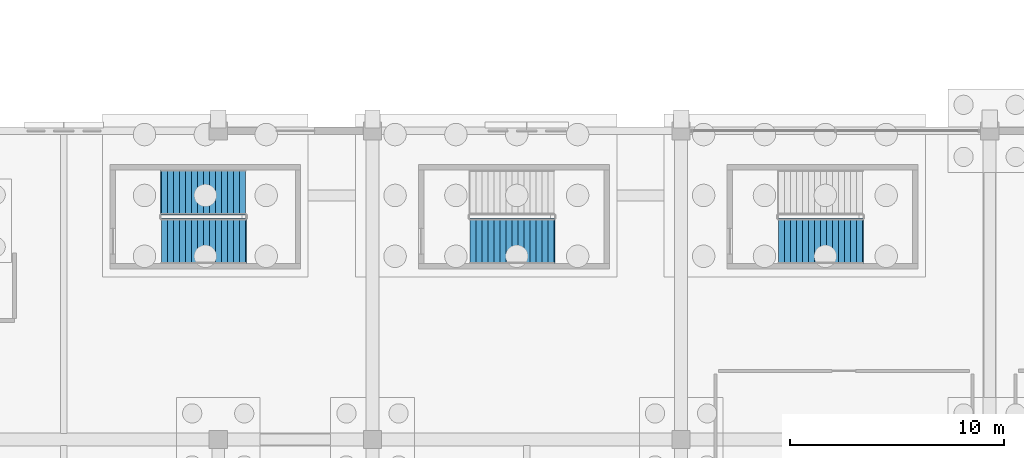
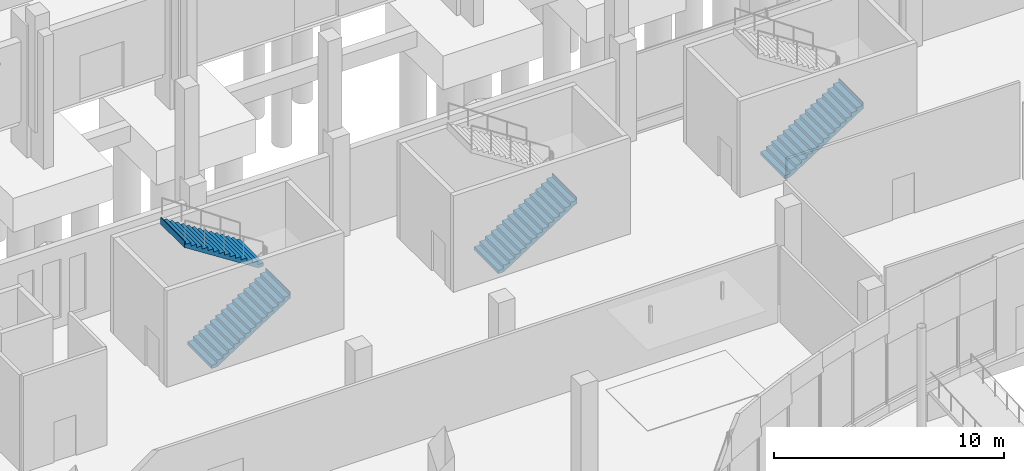
# One storey, part 160 of 192: 4 stair flights, 3 elements without a shape of their own.
"""IFC4 building model written with IfcOpenShell, lengths in metres."""

from ifc_helpers import new_model, si_unit, direction, frame, origin, place, context, subcontext, project, spatial, triangles, material, type_object, element, aggregate, save


model = new_model("IFC4")

# Units and contexts
model_context = context("Model", 3, precision=1e-05, world=origin(), true_north=direction((0.0, 1.0)))
body_context = subcontext(model_context, "Body", "Model", "MODEL_VIEW")
ifc_project = project(units=[si_unit("LENGTHUNIT", "METRE"), si_unit("AREAUNIT", "SQUARE_METRE"), si_unit("VOLUMEUNIT", "CUBIC_METRE"), si_unit("PLANEANGLEUNIT", "RADIAN"), si_unit("MASSUNIT", "GRAM", prefix="KILO")], contexts=[model_context])

# Site, building, storey
site_placement = place(None, origin())
site = spatial("IfcSite", under=ifc_project, at=site_placement, CompositionType="ELEMENT")
building_placement = place(site_placement, origin())
building = spatial("IfcBuilding", under=site, at=building_placement, Name="Cendralis Lancet Convention Centre", CompositionType="ELEMENT")
storey_placement = place(building_placement, origin())
storey = spatial("IfcBuildingStorey", under=building, at=storey_placement, Name="L00", CompositionType="ELEMENT", Elevation=0.0)

# Stair, stair flights
ifc_material = material(Name="Concrete G35 (C35/45)", Category="concrete")
stair_type = type_object("IfcStairType", Name="ARC-ST-CORE", PredefinedType="HALF_TURN_STAIR", material=ifc_material)
stair_1_placement = place(storey_placement, origin())
stair_1 = element("IfcStair", 1, at=stair_1_placement, inside=storey, type_object=stair_type, Name="L00 Protected Exit Stair ST-12", PredefinedType="HALF_TURN_STAIR")
stair_flight_type = type_object("IfcStairFlightType", Name="ARC-SF-CORE", PredefinedType="STRAIGHT", material=ifc_material)
stair_flight_1_placement = place(storey_placement, frame((69.35009765625, 30.85009765625, 0.0), z_axis=(0.0, 0.0, 1.0), x_axis=(1.0, 0.0, 0.0)))
stair_flight_1 = element("IfcStairFlight", 2, at=stair_flight_1_placement, type_object=stair_flight_type, Name="ST-12 flight 1", NumberOfRisers=15, NumberOfTreads=14, PredefinedType="STRAIGHT", RiserHeight=0.18, TreadLength=0.28, context=body_context, shape_type="Tessellation", body=[
    triangles([(0.0, 0.0, 0.09), (0.0, 1.050049, 0.0), (0.0, -1.050049, 0.0), (0.0, -1.050049, 0.18), (0.0, 1.050049, 0.18), (0.138604, 0.0, 0.18), (0.277208, -1.050049, 0.18), (0.277208, 1.050049, 0.18), (0.138604, 0.0, 0.0), (0.277208, -1.050049, 0.0), (0.277208, 1.050049, 0.0), (0.278604, 0.0, 0.18), (0.28, -1.050049, 0.18), (0.28, 1.050049, 0.18), (0.278604, 0.0, 0.000897), (0.28, -1.050049, 0.001795), (0.28, 1.050049, 0.001795), (0.28, 0.0, 0.27), (0.28, -1.050049, 0.36), (0.28, 1.050049, 0.36), (0.42, 0.0, 0.36), (0.56, -1.050049, 0.36), (0.56, 1.050049, 0.36), (0.42, 0.0, 0.091795), (0.56, -1.050049, 0.181795), (0.56, 1.050049, 0.181795), (0.56, 0.0, 0.45), (0.56, -1.050049, 0.54), (0.56, 1.050049, 0.54), (0.7, 0.0, 0.54), (0.84, -1.050049, 0.54), (0.84, 1.050049, 0.54), (0.7, 0.0, 0.271795), (0.84, -1.050049, 0.361795), (0.84, 1.050049, 0.361795), (0.84, 0.0, 0.63), (0.84, -1.050049, 0.72), (0.84, 1.050049, 0.72), (0.98, 0.0, 0.72), (1.12, -1.050049, 0.72), (1.12, 1.050049, 0.72), (0.98, 0.0, 0.451795), (1.12, -1.050049, 0.541795), (1.12, 1.050049, 0.541795), (1.12, 0.0, 0.81), (1.12, -1.050049, 0.9), (1.12, 1.050049, 0.9), (1.26, 0.0, 0.9), (1.4, -1.050049, 0.9), (1.4, 1.050049, 0.9), (1.26, 0.0, 0.631795), (1.4, -1.050049, 0.721795), (1.4, 1.050049, 0.721795), (1.4, 0.0, 0.99), (1.4, -1.050049, 1.08), (1.4, 1.050049, 1.08), (1.54, 0.0, 1.08), (1.68, -1.050049, 1.08), (1.68, 1.050049, 1.08), (1.54, 0.0, 0.811795), (1.68, -1.050049, 0.901795), (1.68, 1.050049, 0.901795), (1.68, 0.0, 1.17), (1.68, -1.050049, 1.26), (1.68, 1.050049, 1.26), (1.82, 0.0, 1.26), (1.96, -1.050049, 1.26), (1.96, 1.050049, 1.26), (1.82, 0.0, 0.991795), (1.96, -1.050049, 1.081795), (1.96, 1.050049, 1.081795), (1.96, 0.0, 1.35), (1.96, -1.050049, 1.44), (1.96, 1.050049, 1.44), (2.1, 0.0, 1.44), (2.24, -1.050049, 1.44), (2.24, 1.050049, 1.44), (2.1, 0.0, 1.171795), (2.24, -1.050049, 1.261795), (2.24, 1.050049, 1.261795), (2.24, 0.0, 1.53), (2.24, -1.050049, 1.62), (2.24, 1.050049, 1.62), (2.38, 0.0, 1.62), (2.52, -1.050049, 1.62), (2.52, 1.050049, 1.62), (2.38, 0.0, 1.351795), (2.52, -1.050049, 1.441795), (2.52, 1.050049, 1.441795), (2.52, 0.0, 1.71), (2.52, -1.050049, 1.8), (2.52, 1.050049, 1.8), (2.66, 0.0, 1.8), (2.8, -1.050049, 1.8), (2.8, 1.050049, 1.8), (2.66, 0.0, 1.531795), (2.8, -1.050049, 1.621795), (2.8, 1.050049, 1.621795), (2.8, 0.0, 1.89), (2.8, -1.050049, 1.98), (2.8, 1.050049, 1.98), (2.94, 0.0, 1.98), (3.08, -1.050049, 1.98), (3.08, 1.050049, 1.98), (2.94, 0.0, 1.711795), (3.08, -1.050049, 1.801795), (3.08, 1.050049, 1.801795), (3.08, 0.0, 2.07), (3.08, -1.050049, 2.16), (3.08, 1.050049, 2.16), (3.22, 0.0, 2.16), (3.36, -1.050049, 2.16), (3.36, 1.050049, 2.16), (3.22, 0.0, 1.891795), (3.36, -1.050049, 1.981795), (3.36, 1.050049, 1.981795), (3.36, 0.0, 2.25), (3.36, -1.050049, 2.34), (3.36, 1.050049, 2.34), (3.5, 0.0, 2.34), (3.64, -1.050049, 2.34), (3.64, 1.050049, 2.34), (3.5, 0.0, 2.071795), (3.64, -1.050049, 2.161795), (3.64, 1.050049, 2.161795), (3.64, 0.0, 2.43), (3.64, -1.050049, 2.52), (3.64, 1.050049, 2.52), (3.78, 0.0, 2.52), (3.92, -1.050049, 2.52), (3.92, 1.050049, 2.52), (3.78, 0.0, 2.251795), (3.92, -1.050049, 2.341795), (3.92, 1.050049, 2.341795), (3.92, 0.0, 2.61), (3.92, -1.050049, 2.7), (3.92, 1.050049, 2.7), (3.94, 0.0, 2.7), (3.96, -1.050049, 2.7), (3.96, 1.050049, 2.7), (3.94, 0.0, 2.341795), (3.96, -1.050049, 2.341795), (3.96, 1.050049, 2.341795), (3.96, 0.0, 2.520898)], [[2, 3, 1], [3, 4, 1], [4, 5, 1], [5, 2, 1], [4, 7, 6], [7, 8, 6], [8, 5, 6], [5, 4, 6], [10, 3, 9], [3, 2, 9], [2, 11, 9], [11, 10, 9], [3, 10, 7], [3, 7, 4], [2, 8, 11], [2, 5, 8], [7, 13, 12], [13, 14, 12], [14, 8, 12], [8, 7, 12], [16, 10, 15], [10, 11, 15], [11, 17, 15], [17, 16, 15], [10, 16, 13], [10, 13, 7], [11, 14, 17], [11, 8, 14], [14, 13, 18], [13, 19, 18], [19, 20, 18], [20, 14, 18], [19, 22, 21], [22, 23, 21], [23, 20, 21], [20, 19, 21], [25, 16, 24], [16, 17, 24], [17, 26, 24], [26, 25, 24], [16, 25, 22], [16, 22, 13], [13, 22, 19], [17, 23, 26], [17, 14, 23], [14, 20, 23], [23, 22, 27], [22, 28, 27], [28, 29, 27], [29, 23, 27], [28, 31, 30], [31, 32, 30], [32, 29, 30], [29, 28, 30], [34, 25, 33], [25, 26, 33], [26, 35, 33], [35, 34, 33], [25, 34, 31], [25, 31, 22], [22, 31, 28], [26, 32, 35], [26, 23, 32], [23, 29, 32], [32, 31, 36], [31, 37, 36], [37, 38, 36], [38, 32, 36], [37, 40, 39], [40, 41, 39], [41, 38, 39], [38, 37, 39], [43, 34, 42], [34, 35, 42], [35, 44, 42], [44, 43, 42], [34, 43, 40], [34, 40, 31], [31, 40, 37], [35, 41, 44], [35, 32, 41], [32, 38, 41], [41, 40, 45], [40, 46, 45], [46, 47, 45], [47, 41, 45], [46, 49, 48], [49, 50, 48], [50, 47, 48], [47, 46, 48], [52, 43, 51], [43, 44, 51], [44, 53, 51], [53, 52, 51], [43, 52, 49], [43, 49, 40], [40, 49, 46], [44, 50, 53], [44, 41, 50], [41, 47, 50], [50, 49, 54], [49, 55, 54], [55, 56, 54], [56, 50, 54], [55, 58, 57], [58, 59, 57], [59, 56, 57], [56, 55, 57], [61, 52, 60], [52, 53, 60], [53, 62, 60], [62, 61, 60], [52, 61, 58], [52, 58, 49], [49, 58, 55], [53, 59, 62], [53, 50, 59], [50, 56, 59], [59, 58, 63], [58, 64, 63], [64, 65, 63], [65, 59, 63], [64, 67, 66], [67, 68, 66], [68, 65, 66], [65, 64, 66], [70, 61, 69], [61, 62, 69], [62, 71, 69], [71, 70, 69], [61, 70, 67], [61, 67, 58], [58, 67, 64], [62, 68, 71], [62, 59, 68], [59, 65, 68], [68, 67, 72], [67, 73, 72], [73, 74, 72], [74, 68, 72], [73, 76, 75], [76, 77, 75], [77, 74, 75], [74, 73, 75], [79, 70, 78], [70, 71, 78], [71, 80, 78], [80, 79, 78], [70, 79, 76], [70, 76, 67], [67, 76, 73], [71, 77, 80], [71, 68, 77], [68, 74, 77], [77, 76, 81], [76, 82, 81], [82, 83, 81], [83, 77, 81], [82, 85, 84], [85, 86, 84], [86, 83, 84], [83, 82, 84], [88, 79, 87], [79, 80, 87], [80, 89, 87], [89, 88, 87], [79, 88, 85], [79, 85, 76], [76, 85, 82], [80, 86, 89], [80, 77, 86], [77, 83, 86], [86, 85, 90], [85, 91, 90], [91, 92, 90], [92, 86, 90], [91, 94, 93], [94, 95, 93], [95, 92, 93], [92, 91, 93], [97, 88, 96], [88, 89, 96], [89, 98, 96], [98, 97, 96], [88, 97, 94], [88, 94, 85], [85, 94, 91], [89, 95, 98], [89, 86, 95], [86, 92, 95], [95, 94, 99], [94, 100, 99], [100, 101, 99], [101, 95, 99], [100, 103, 102], [103, 104, 102], [104, 101, 102], [101, 100, 102], [106, 97, 105], [97, 98, 105], [98, 107, 105], [107, 106, 105], [97, 106, 103], [97, 103, 94], [94, 103, 100], [98, 104, 107], [98, 95, 104], [95, 101, 104], [104, 103, 108], [103, 109, 108], [109, 110, 108], [110, 104, 108], [109, 112, 111], [112, 113, 111], [113, 110, 111], [110, 109, 111], [115, 106, 114], [106, 107, 114], [107, 116, 114], [116, 115, 114], [106, 115, 112], [106, 112, 103], [103, 112, 109], [107, 113, 116], [107, 104, 113], [104, 110, 113], [113, 112, 117], [112, 118, 117], [118, 119, 117], [119, 113, 117], [118, 121, 120], [121, 122, 120], [122, 119, 120], [119, 118, 120], [124, 115, 123], [115, 116, 123], [116, 125, 123], [125, 124, 123], [115, 124, 121], [115, 121, 112], [112, 121, 118], [116, 122, 125], [116, 113, 122], [113, 119, 122], [122, 121, 126], [121, 127, 126], [127, 128, 126], [128, 122, 126], [127, 130, 129], [130, 131, 129], [131, 128, 129], [128, 127, 129], [133, 124, 132], [124, 125, 132], [125, 134, 132], [134, 133, 132], [124, 133, 130], [124, 130, 121], [121, 130, 127], [125, 131, 134], [125, 122, 131], [122, 128, 131], [131, 130, 135], [130, 136, 135], [136, 137, 135], [137, 131, 135], [136, 139, 138], [139, 140, 138], [140, 137, 138], [137, 136, 138], [142, 133, 141], [133, 134, 141], [134, 143, 141], [143, 142, 141], [133, 142, 139], [133, 139, 130], [130, 139, 136], [134, 140, 143], [134, 131, 140], [131, 137, 140], [142, 143, 144], [143, 140, 144], [140, 139, 144], [139, 142, 144]], closed=True),
])
stair_flight_2_placement = place(storey_placement, frame((73.27001953125, 33.1298828125, 2.699951171875), z_axis=(0.0, 0.0, 1.0), x_axis=(-1.0, 0.0, 0.0)))
stair_flight_2 = element("IfcStairFlight", 3, at=stair_flight_2_placement, type_object=stair_flight_type, Name="ST-12 flight 2", NumberOfRisers=15, NumberOfTreads=14, PredefinedType="STRAIGHT", RiserHeight=0.18, TreadLength=0.28, context=body_context, shape_type="Tessellation", body=[
    triangles([(0.0, 0.0, 0.09), (0.0, 1.050049, 0.0), (0.0, -1.050049, 0.0), (0.0, -1.050049, 0.18), (0.0, 1.050049, 0.18), (0.138604, 0.0, 0.18), (0.277208, -1.050049, 0.18), (0.277208, 1.050049, 0.18), (0.138604, 0.0, 0.0), (0.277208, -1.050049, 0.0), (0.277208, 1.050049, 0.0), (0.278604, 0.0, 0.18), (0.28, -1.050049, 0.18), (0.28, 1.050049, 0.18), (0.278604, 0.0, 0.000897), (0.28, -1.050049, 0.001795), (0.28, 1.050049, 0.001795), (0.28, 0.0, 0.27), (0.28, -1.050049, 0.36), (0.28, 1.050049, 0.36), (0.42, 0.0, 0.36), (0.56, -1.050049, 0.36), (0.56, 1.050049, 0.36), (0.42, 0.0, 0.091795), (0.56, -1.050049, 0.181795), (0.56, 1.050049, 0.181795), (0.56, 0.0, 0.45), (0.56, -1.050049, 0.54), (0.56, 1.050049, 0.54), (0.7, 0.0, 0.54), (0.84, -1.050049, 0.54), (0.84, 1.050049, 0.54), (0.7, 0.0, 0.271795), (0.84, -1.050049, 0.361795), (0.84, 1.050049, 0.361795), (0.84, 0.0, 0.63), (0.84, -1.050049, 0.72), (0.84, 1.050049, 0.72), (0.98, 0.0, 0.72), (1.12, -1.050049, 0.72), (1.12, 1.050049, 0.72), (0.98, 0.0, 0.451795), (1.12, -1.050049, 0.541795), (1.12, 1.050049, 0.541795), (1.12, 0.0, 0.81), (1.12, -1.050049, 0.9), (1.12, 1.050049, 0.9), (1.26, 0.0, 0.9), (1.4, -1.050049, 0.9), (1.4, 1.050049, 0.9), (1.26, 0.0, 0.631795), (1.4, -1.050049, 0.721795), (1.4, 1.050049, 0.721795), (1.4, 0.0, 0.99), (1.4, -1.050049, 1.08), (1.4, 1.050049, 1.08), (1.54, 0.0, 1.08), (1.68, -1.050049, 1.08), (1.68, 1.050049, 1.08), (1.54, 0.0, 0.811795), (1.68, -1.050049, 0.901795), (1.68, 1.050049, 0.901795), (1.68, 0.0, 1.17), (1.68, -1.050049, 1.26), (1.68, 1.050049, 1.26), (1.82, 0.0, 1.26), (1.96, -1.050049, 1.26), (1.96, 1.050049, 1.26), (1.82, 0.0, 0.991795), (1.96, -1.050049, 1.081795), (1.96, 1.050049, 1.081795), (1.96, 0.0, 1.35), (1.96, -1.050049, 1.44), (1.96, 1.050049, 1.44), (2.1, 0.0, 1.44), (2.24, -1.050049, 1.44), (2.24, 1.050049, 1.44), (2.1, 0.0, 1.171795), (2.24, -1.050049, 1.261795), (2.24, 1.050049, 1.261795), (2.24, 0.0, 1.53), (2.24, -1.050049, 1.62), (2.24, 1.050049, 1.62), (2.38, 0.0, 1.62), (2.52, -1.050049, 1.62), (2.52, 1.050049, 1.62), (2.38, 0.0, 1.351795), (2.52, -1.050049, 1.441795), (2.52, 1.050049, 1.441795), (2.52, 0.0, 1.71), (2.52, -1.050049, 1.8), (2.52, 1.050049, 1.8), (2.66, 0.0, 1.8), (2.8, -1.050049, 1.8), (2.8, 1.050049, 1.8), (2.66, 0.0, 1.531795), (2.8, -1.050049, 1.621795), (2.8, 1.050049, 1.621795), (2.8, 0.0, 1.89), (2.8, -1.050049, 1.98), (2.8, 1.050049, 1.98), (2.94, 0.0, 1.98), (3.08, -1.050049, 1.98), (3.08, 1.050049, 1.98), (2.94, 0.0, 1.711795), (3.08, -1.050049, 1.801795), (3.08, 1.050049, 1.801795), (3.08, 0.0, 2.07), (3.08, -1.050049, 2.16), (3.08, 1.050049, 2.16), (3.22, 0.0, 2.16), (3.36, -1.050049, 2.16), (3.36, 1.050049, 2.16), (3.22, 0.0, 1.891795), (3.36, -1.050049, 1.981795), (3.36, 1.050049, 1.981795), (3.36, 0.0, 2.25), (3.36, -1.050049, 2.34), (3.36, 1.050049, 2.34), (3.5, 0.0, 2.34), (3.64, -1.050049, 2.34), (3.64, 1.050049, 2.34), (3.5, 0.0, 2.071795), (3.64, -1.050049, 2.161795), (3.64, 1.050049, 2.161795), (3.64, 0.0, 2.43), (3.64, -1.050049, 2.52), (3.64, 1.050049, 2.52), (3.78, 0.0, 2.52), (3.92, -1.050049, 2.52), (3.92, 1.050049, 2.52), (3.78, 0.0, 2.251795), (3.92, -1.050049, 2.341795), (3.92, 1.050049, 2.341795), (3.92, 0.0, 2.61), (3.92, -1.050049, 2.7), (3.92, 1.050049, 2.7), (3.94, 0.0, 2.7), (3.96, -1.050049, 2.7), (3.96, 1.050049, 2.7), (3.94, 0.0, 2.341795), (3.96, -1.050049, 2.341795), (3.96, 1.050049, 2.341795), (3.96, 0.0, 2.520898)], [[2, 3, 1], [3, 4, 1], [4, 5, 1], [5, 2, 1], [4, 7, 6], [7, 8, 6], [8, 5, 6], [5, 4, 6], [10, 3, 9], [3, 2, 9], [2, 11, 9], [11, 10, 9], [3, 10, 7], [3, 7, 4], [2, 8, 11], [2, 5, 8], [7, 13, 12], [13, 14, 12], [14, 8, 12], [8, 7, 12], [16, 10, 15], [10, 11, 15], [11, 17, 15], [17, 16, 15], [10, 16, 13], [10, 13, 7], [11, 14, 17], [11, 8, 14], [14, 13, 18], [13, 19, 18], [19, 20, 18], [20, 14, 18], [19, 22, 21], [22, 23, 21], [23, 20, 21], [20, 19, 21], [25, 16, 24], [16, 17, 24], [17, 26, 24], [26, 25, 24], [16, 25, 22], [16, 22, 13], [13, 22, 19], [17, 23, 26], [17, 14, 23], [14, 20, 23], [23, 22, 27], [22, 28, 27], [28, 29, 27], [29, 23, 27], [28, 31, 30], [31, 32, 30], [32, 29, 30], [29, 28, 30], [34, 25, 33], [25, 26, 33], [26, 35, 33], [35, 34, 33], [25, 34, 31], [25, 31, 22], [22, 31, 28], [26, 32, 35], [26, 23, 32], [23, 29, 32], [32, 31, 36], [31, 37, 36], [37, 38, 36], [38, 32, 36], [37, 40, 39], [40, 41, 39], [41, 38, 39], [38, 37, 39], [43, 34, 42], [34, 35, 42], [35, 44, 42], [44, 43, 42], [34, 43, 40], [34, 40, 31], [31, 40, 37], [35, 41, 44], [35, 32, 41], [32, 38, 41], [41, 40, 45], [40, 46, 45], [46, 47, 45], [47, 41, 45], [46, 49, 48], [49, 50, 48], [50, 47, 48], [47, 46, 48], [52, 43, 51], [43, 44, 51], [44, 53, 51], [53, 52, 51], [43, 52, 49], [43, 49, 40], [40, 49, 46], [44, 50, 53], [44, 41, 50], [41, 47, 50], [50, 49, 54], [49, 55, 54], [55, 56, 54], [56, 50, 54], [55, 58, 57], [58, 59, 57], [59, 56, 57], [56, 55, 57], [61, 52, 60], [52, 53, 60], [53, 62, 60], [62, 61, 60], [52, 61, 58], [52, 58, 49], [49, 58, 55], [53, 59, 62], [53, 50, 59], [50, 56, 59], [59, 58, 63], [58, 64, 63], [64, 65, 63], [65, 59, 63], [64, 67, 66], [67, 68, 66], [68, 65, 66], [65, 64, 66], [70, 61, 69], [61, 62, 69], [62, 71, 69], [71, 70, 69], [61, 70, 67], [61, 67, 58], [58, 67, 64], [62, 68, 71], [62, 59, 68], [59, 65, 68], [68, 67, 72], [67, 73, 72], [73, 74, 72], [74, 68, 72], [73, 76, 75], [76, 77, 75], [77, 74, 75], [74, 73, 75], [79, 70, 78], [70, 71, 78], [71, 80, 78], [80, 79, 78], [70, 79, 76], [70, 76, 67], [67, 76, 73], [71, 77, 80], [71, 68, 77], [68, 74, 77], [77, 76, 81], [76, 82, 81], [82, 83, 81], [83, 77, 81], [82, 85, 84], [85, 86, 84], [86, 83, 84], [83, 82, 84], [88, 79, 87], [79, 80, 87], [80, 89, 87], [89, 88, 87], [79, 88, 85], [79, 85, 76], [76, 85, 82], [80, 86, 89], [80, 77, 86], [77, 83, 86], [86, 85, 90], [85, 91, 90], [91, 92, 90], [92, 86, 90], [91, 94, 93], [94, 95, 93], [95, 92, 93], [92, 91, 93], [97, 88, 96], [88, 89, 96], [89, 98, 96], [98, 97, 96], [88, 97, 94], [88, 94, 85], [85, 94, 91], [89, 95, 98], [89, 86, 95], [86, 92, 95], [95, 94, 99], [94, 100, 99], [100, 101, 99], [101, 95, 99], [100, 103, 102], [103, 104, 102], [104, 101, 102], [101, 100, 102], [106, 97, 105], [97, 98, 105], [98, 107, 105], [107, 106, 105], [97, 106, 103], [97, 103, 94], [94, 103, 100], [98, 104, 107], [98, 95, 104], [95, 101, 104], [104, 103, 108], [103, 109, 108], [109, 110, 108], [110, 104, 108], [109, 112, 111], [112, 113, 111], [113, 110, 111], [110, 109, 111], [115, 106, 114], [106, 107, 114], [107, 116, 114], [116, 115, 114], [106, 115, 112], [106, 112, 103], [103, 112, 109], [107, 113, 116], [107, 104, 113], [104, 110, 113], [113, 112, 117], [112, 118, 117], [118, 119, 117], [119, 113, 117], [118, 121, 120], [121, 122, 120], [122, 119, 120], [119, 118, 120], [124, 115, 123], [115, 116, 123], [116, 125, 123], [125, 124, 123], [115, 124, 121], [115, 121, 112], [112, 121, 118], [116, 122, 125], [116, 113, 122], [113, 119, 122], [122, 121, 126], [121, 127, 126], [127, 128, 126], [128, 122, 126], [127, 130, 129], [130, 131, 129], [131, 128, 129], [128, 127, 129], [133, 124, 132], [124, 125, 132], [125, 134, 132], [134, 133, 132], [124, 133, 130], [124, 130, 121], [121, 130, 127], [125, 131, 134], [125, 122, 131], [122, 128, 131], [131, 130, 135], [130, 136, 135], [136, 137, 135], [137, 131, 135], [136, 139, 138], [139, 140, 138], [140, 137, 138], [137, 136, 138], [142, 133, 141], [133, 134, 141], [134, 143, 141], [143, 142, 141], [133, 142, 139], [133, 139, 130], [130, 139, 136], [134, 140, 143], [134, 131, 140], [131, 137, 140], [142, 143, 144], [143, 140, 144], [140, 139, 144], [139, 142, 144]], closed=True),
])
aggregate(stair_1, [stair_flight_1, stair_flight_2])

# Stair, stair flight
stair_2_placement = place(storey_placement, origin())
stair_2 = element("IfcStair", 4, at=stair_2_placement, inside=storey, type_object=stair_type, Name="L00 Protected Exit Stair ST-18", PredefinedType="HALF_TURN_STAIR")
stair_flight_3_placement = place(storey_placement, frame((98.14990234375, 30.85009765625, 0.0), z_axis=(0.0, 0.0, 1.0), x_axis=(1.0, 0.0, 0.0)))
stair_flight_3 = element("IfcStairFlight", 5, at=stair_flight_3_placement, type_object=stair_flight_type, Name="ST-18 flight 1", NumberOfRisers=15, NumberOfTreads=14, PredefinedType="STRAIGHT", RiserHeight=0.18, TreadLength=0.28, context=body_context, shape_type="Tessellation", body=[
    triangles([(0.0, 0.0, 0.09), (0.0, 1.050049, 0.0), (0.0, -1.050049, 0.0), (0.0, -1.050049, 0.18), (0.0, 1.050049, 0.18), (0.138604, 0.0, 0.18), (0.277208, -1.050049, 0.18), (0.277208, 1.050049, 0.18), (0.138604, 0.0, 0.0), (0.277208, -1.050049, 0.0), (0.277208, 1.050049, 0.0), (0.278604, 0.0, 0.18), (0.28, -1.050049, 0.18), (0.28, 1.050049, 0.18), (0.278604, 0.0, 0.000897), (0.28, -1.050049, 0.001795), (0.28, 1.050049, 0.001795), (0.28, 0.0, 0.27), (0.28, -1.050049, 0.36), (0.28, 1.050049, 0.36), (0.42, 0.0, 0.36), (0.56, -1.050049, 0.36), (0.56, 1.050049, 0.36), (0.42, 0.0, 0.091795), (0.56, -1.050049, 0.181795), (0.56, 1.050049, 0.181795), (0.56, 0.0, 0.45), (0.56, -1.050049, 0.54), (0.56, 1.050049, 0.54), (0.7, 0.0, 0.54), (0.84, -1.050049, 0.54), (0.84, 1.050049, 0.54), (0.7, 0.0, 0.271795), (0.84, -1.050049, 0.361795), (0.84, 1.050049, 0.361795), (0.84, 0.0, 0.63), (0.84, -1.050049, 0.72), (0.84, 1.050049, 0.72), (0.98, 0.0, 0.72), (1.12, -1.050049, 0.72), (1.12, 1.050049, 0.72), (0.98, 0.0, 0.451795), (1.12, -1.050049, 0.541795), (1.12, 1.050049, 0.541795), (1.12, 0.0, 0.81), (1.12, -1.050049, 0.9), (1.12, 1.050049, 0.9), (1.26, 0.0, 0.9), (1.4, -1.050049, 0.9), (1.4, 1.050049, 0.9), (1.26, 0.0, 0.631795), (1.4, -1.050049, 0.721795), (1.4, 1.050049, 0.721795), (1.4, 0.0, 0.99), (1.4, -1.050049, 1.08), (1.4, 1.050049, 1.08), (1.54, 0.0, 1.08), (1.68, -1.050049, 1.08), (1.68, 1.050049, 1.08), (1.54, 0.0, 0.811795), (1.68, -1.050049, 0.901795), (1.68, 1.050049, 0.901795), (1.68, 0.0, 1.17), (1.68, -1.050049, 1.26), (1.68, 1.050049, 1.26), (1.82, 0.0, 1.26), (1.96, -1.050049, 1.26), (1.96, 1.050049, 1.26), (1.82, 0.0, 0.991795), (1.96, -1.050049, 1.081795), (1.96, 1.050049, 1.081795), (1.96, 0.0, 1.35), (1.96, -1.050049, 1.44), (1.96, 1.050049, 1.44), (2.1, 0.0, 1.44), (2.24, -1.050049, 1.44), (2.24, 1.050049, 1.44), (2.1, 0.0, 1.171795), (2.24, -1.050049, 1.261795), (2.24, 1.050049, 1.261795), (2.24, 0.0, 1.53), (2.24, -1.050049, 1.62), (2.24, 1.050049, 1.62), (2.38, 0.0, 1.62), (2.52, -1.050049, 1.62), (2.52, 1.050049, 1.62), (2.38, 0.0, 1.351795), (2.52, -1.050049, 1.441795), (2.52, 1.050049, 1.441795), (2.52, 0.0, 1.71), (2.52, -1.050049, 1.8), (2.52, 1.050049, 1.8), (2.66, 0.0, 1.8), (2.8, -1.050049, 1.8), (2.8, 1.050049, 1.8), (2.66, 0.0, 1.531795), (2.8, -1.050049, 1.621795), (2.8, 1.050049, 1.621795), (2.8, 0.0, 1.89), (2.8, -1.050049, 1.98), (2.8, 1.050049, 1.98), (2.94, 0.0, 1.98), (3.08, -1.050049, 1.98), (3.08, 1.050049, 1.98), (2.94, 0.0, 1.711795), (3.08, -1.050049, 1.801795), (3.08, 1.050049, 1.801795), (3.08, 0.0, 2.07), (3.08, -1.050049, 2.16), (3.08, 1.050049, 2.16), (3.22, 0.0, 2.16), (3.36, -1.050049, 2.16), (3.36, 1.050049, 2.16), (3.22, 0.0, 1.891795), (3.36, -1.050049, 1.981795), (3.36, 1.050049, 1.981795), (3.36, 0.0, 2.25), (3.36, -1.050049, 2.34), (3.36, 1.050049, 2.34), (3.5, 0.0, 2.34), (3.64, -1.050049, 2.34), (3.64, 1.050049, 2.34), (3.5, 0.0, 2.071795), (3.64, -1.050049, 2.161795), (3.64, 1.050049, 2.161795), (3.64, 0.0, 2.43), (3.64, -1.050049, 2.52), (3.64, 1.050049, 2.52), (3.78, 0.0, 2.52), (3.92, -1.050049, 2.52), (3.92, 1.050049, 2.52), (3.78, 0.0, 2.251795), (3.92, -1.050049, 2.341795), (3.92, 1.050049, 2.341795), (3.92, 0.0, 2.61), (3.92, -1.050049, 2.7), (3.92, 1.050049, 2.7), (3.94, 0.0, 2.7), (3.96, -1.050049, 2.7), (3.96, 1.050049, 2.7), (3.94, 0.0, 2.341795), (3.96, -1.050049, 2.341795), (3.96, 1.050049, 2.341795), (3.96, 0.0, 2.520898)], [[2, 3, 1], [3, 4, 1], [4, 5, 1], [5, 2, 1], [4, 7, 6], [7, 8, 6], [8, 5, 6], [5, 4, 6], [10, 3, 9], [3, 2, 9], [2, 11, 9], [11, 10, 9], [3, 10, 7], [3, 7, 4], [2, 8, 11], [2, 5, 8], [7, 13, 12], [13, 14, 12], [14, 8, 12], [8, 7, 12], [16, 10, 15], [10, 11, 15], [11, 17, 15], [17, 16, 15], [10, 16, 13], [10, 13, 7], [11, 14, 17], [11, 8, 14], [14, 13, 18], [13, 19, 18], [19, 20, 18], [20, 14, 18], [19, 22, 21], [22, 23, 21], [23, 20, 21], [20, 19, 21], [25, 16, 24], [16, 17, 24], [17, 26, 24], [26, 25, 24], [16, 25, 22], [16, 22, 13], [13, 22, 19], [17, 23, 26], [17, 14, 23], [14, 20, 23], [23, 22, 27], [22, 28, 27], [28, 29, 27], [29, 23, 27], [28, 31, 30], [31, 32, 30], [32, 29, 30], [29, 28, 30], [34, 25, 33], [25, 26, 33], [26, 35, 33], [35, 34, 33], [25, 34, 31], [25, 31, 22], [22, 31, 28], [26, 32, 35], [26, 23, 32], [23, 29, 32], [32, 31, 36], [31, 37, 36], [37, 38, 36], [38, 32, 36], [37, 40, 39], [40, 41, 39], [41, 38, 39], [38, 37, 39], [43, 34, 42], [34, 35, 42], [35, 44, 42], [44, 43, 42], [34, 43, 40], [34, 40, 31], [31, 40, 37], [35, 41, 44], [35, 32, 41], [32, 38, 41], [41, 40, 45], [40, 46, 45], [46, 47, 45], [47, 41, 45], [46, 49, 48], [49, 50, 48], [50, 47, 48], [47, 46, 48], [52, 43, 51], [43, 44, 51], [44, 53, 51], [53, 52, 51], [43, 52, 49], [43, 49, 40], [40, 49, 46], [44, 50, 53], [44, 41, 50], [41, 47, 50], [50, 49, 54], [49, 55, 54], [55, 56, 54], [56, 50, 54], [55, 58, 57], [58, 59, 57], [59, 56, 57], [56, 55, 57], [61, 52, 60], [52, 53, 60], [53, 62, 60], [62, 61, 60], [52, 61, 58], [52, 58, 49], [49, 58, 55], [53, 59, 62], [53, 50, 59], [50, 56, 59], [59, 58, 63], [58, 64, 63], [64, 65, 63], [65, 59, 63], [64, 67, 66], [67, 68, 66], [68, 65, 66], [65, 64, 66], [70, 61, 69], [61, 62, 69], [62, 71, 69], [71, 70, 69], [61, 70, 67], [61, 67, 58], [58, 67, 64], [62, 68, 71], [62, 59, 68], [59, 65, 68], [68, 67, 72], [67, 73, 72], [73, 74, 72], [74, 68, 72], [73, 76, 75], [76, 77, 75], [77, 74, 75], [74, 73, 75], [79, 70, 78], [70, 71, 78], [71, 80, 78], [80, 79, 78], [70, 79, 76], [70, 76, 67], [67, 76, 73], [71, 77, 80], [71, 68, 77], [68, 74, 77], [77, 76, 81], [76, 82, 81], [82, 83, 81], [83, 77, 81], [82, 85, 84], [85, 86, 84], [86, 83, 84], [83, 82, 84], [88, 79, 87], [79, 80, 87], [80, 89, 87], [89, 88, 87], [79, 88, 85], [79, 85, 76], [76, 85, 82], [80, 86, 89], [80, 77, 86], [77, 83, 86], [86, 85, 90], [85, 91, 90], [91, 92, 90], [92, 86, 90], [91, 94, 93], [94, 95, 93], [95, 92, 93], [92, 91, 93], [97, 88, 96], [88, 89, 96], [89, 98, 96], [98, 97, 96], [88, 97, 94], [88, 94, 85], [85, 94, 91], [89, 95, 98], [89, 86, 95], [86, 92, 95], [95, 94, 99], [94, 100, 99], [100, 101, 99], [101, 95, 99], [100, 103, 102], [103, 104, 102], [104, 101, 102], [101, 100, 102], [106, 97, 105], [97, 98, 105], [98, 107, 105], [107, 106, 105], [97, 106, 103], [97, 103, 94], [94, 103, 100], [98, 104, 107], [98, 95, 104], [95, 101, 104], [104, 103, 108], [103, 109, 108], [109, 110, 108], [110, 104, 108], [109, 112, 111], [112, 113, 111], [113, 110, 111], [110, 109, 111], [115, 106, 114], [106, 107, 114], [107, 116, 114], [116, 115, 114], [106, 115, 112], [106, 112, 103], [103, 112, 109], [107, 113, 116], [107, 104, 113], [104, 110, 113], [113, 112, 117], [112, 118, 117], [118, 119, 117], [119, 113, 117], [118, 121, 120], [121, 122, 120], [122, 119, 120], [119, 118, 120], [124, 115, 123], [115, 116, 123], [116, 125, 123], [125, 124, 123], [115, 124, 121], [115, 121, 112], [112, 121, 118], [116, 122, 125], [116, 113, 122], [113, 119, 122], [122, 121, 126], [121, 127, 126], [127, 128, 126], [128, 122, 126], [127, 130, 129], [130, 131, 129], [131, 128, 129], [128, 127, 129], [133, 124, 132], [124, 125, 132], [125, 134, 132], [134, 133, 132], [124, 133, 130], [124, 130, 121], [121, 130, 127], [125, 131, 134], [125, 122, 131], [122, 128, 131], [131, 130, 135], [130, 136, 135], [136, 137, 135], [137, 131, 135], [136, 139, 138], [139, 140, 138], [140, 137, 138], [137, 136, 138], [142, 133, 141], [133, 134, 141], [134, 143, 141], [143, 142, 141], [133, 142, 139], [133, 139, 130], [130, 139, 136], [134, 140, 143], [134, 131, 140], [131, 137, 140], [142, 143, 144], [143, 140, 144], [140, 139, 144], [139, 142, 144]], closed=True),
])
aggregate(stair_2, [stair_flight_3])

stair_3_placement = place(storey_placement, origin())
stair_3 = element("IfcStair", 6, at=stair_3_placement, inside=storey, type_object=stair_type, Name="L00 Protected Exit Stair ST-21", PredefinedType="HALF_TURN_STAIR")
stair_flight_4_placement = place(storey_placement, frame((83.75, 30.85009765625, 0.0), z_axis=(0.0, 0.0, 1.0), x_axis=(1.0, 0.0, 0.0)))
stair_flight_4 = element("IfcStairFlight", 7, at=stair_flight_4_placement, type_object=stair_flight_type, Name="ST-21 flight 1", NumberOfRisers=15, NumberOfTreads=14, PredefinedType="STRAIGHT", RiserHeight=0.18, TreadLength=0.28, context=body_context, shape_type="Tessellation", body=[
    triangles([(0.0, 0.0, 0.09), (0.0, 1.050049, 0.0), (0.0, -1.050049, 0.0), (0.0, -1.050049, 0.18), (0.0, 1.050049, 0.18), (0.138604, 0.0, 0.18), (0.277208, -1.050049, 0.18), (0.277208, 1.050049, 0.18), (0.138604, 0.0, 0.0), (0.277208, -1.050049, 0.0), (0.277208, 1.050049, 0.0), (0.278604, 0.0, 0.18), (0.28, -1.050049, 0.18), (0.28, 1.050049, 0.18), (0.278604, 0.0, 0.000897), (0.28, -1.050049, 0.001795), (0.28, 1.050049, 0.001795), (0.28, 0.0, 0.27), (0.28, -1.050049, 0.36), (0.28, 1.050049, 0.36), (0.42, 0.0, 0.36), (0.56, -1.050049, 0.36), (0.56, 1.050049, 0.36), (0.42, 0.0, 0.091795), (0.56, -1.050049, 0.181795), (0.56, 1.050049, 0.181795), (0.56, 0.0, 0.45), (0.56, -1.050049, 0.54), (0.56, 1.050049, 0.54), (0.7, 0.0, 0.54), (0.84, -1.050049, 0.54), (0.84, 1.050049, 0.54), (0.7, 0.0, 0.271795), (0.84, -1.050049, 0.361795), (0.84, 1.050049, 0.361795), (0.84, 0.0, 0.63), (0.84, -1.050049, 0.72), (0.84, 1.050049, 0.72), (0.98, 0.0, 0.72), (1.12, -1.050049, 0.72), (1.12, 1.050049, 0.72), (0.98, 0.0, 0.451795), (1.12, -1.050049, 0.541795), (1.12, 1.050049, 0.541795), (1.12, 0.0, 0.81), (1.12, -1.050049, 0.9), (1.12, 1.050049, 0.9), (1.26, 0.0, 0.9), (1.4, -1.050049, 0.9), (1.4, 1.050049, 0.9), (1.26, 0.0, 0.631795), (1.4, -1.050049, 0.721795), (1.4, 1.050049, 0.721795), (1.4, 0.0, 0.99), (1.4, -1.050049, 1.08), (1.4, 1.050049, 1.08), (1.54, 0.0, 1.08), (1.68, -1.050049, 1.08), (1.68, 1.050049, 1.08), (1.54, 0.0, 0.811795), (1.68, -1.050049, 0.901795), (1.68, 1.050049, 0.901795), (1.68, 0.0, 1.17), (1.68, -1.050049, 1.26), (1.68, 1.050049, 1.26), (1.82, 0.0, 1.26), (1.96, -1.050049, 1.26), (1.96, 1.050049, 1.26), (1.82, 0.0, 0.991795), (1.96, -1.050049, 1.081795), (1.96, 1.050049, 1.081795), (1.96, 0.0, 1.35), (1.96, -1.050049, 1.44), (1.96, 1.050049, 1.44), (2.1, 0.0, 1.44), (2.24, -1.050049, 1.44), (2.24, 1.050049, 1.44), (2.1, 0.0, 1.171795), (2.24, -1.050049, 1.261795), (2.24, 1.050049, 1.261795), (2.24, 0.0, 1.53), (2.24, -1.050049, 1.62), (2.24, 1.050049, 1.62), (2.38, 0.0, 1.62), (2.52, -1.050049, 1.62), (2.52, 1.050049, 1.62), (2.38, 0.0, 1.351795), (2.52, -1.050049, 1.441795), (2.52, 1.050049, 1.441795), (2.52, 0.0, 1.71), (2.52, -1.050049, 1.8), (2.52, 1.050049, 1.8), (2.66, 0.0, 1.8), (2.8, -1.050049, 1.8), (2.8, 1.050049, 1.8), (2.66, 0.0, 1.531795), (2.8, -1.050049, 1.621795), (2.8, 1.050049, 1.621795), (2.8, 0.0, 1.89), (2.8, -1.050049, 1.98), (2.8, 1.050049, 1.98), (2.94, 0.0, 1.98), (3.08, -1.050049, 1.98), (3.08, 1.050049, 1.98), (2.94, 0.0, 1.711795), (3.08, -1.050049, 1.801795), (3.08, 1.050049, 1.801795), (3.08, 0.0, 2.07), (3.08, -1.050049, 2.16), (3.08, 1.050049, 2.16), (3.22, 0.0, 2.16), (3.36, -1.050049, 2.16), (3.36, 1.050049, 2.16), (3.22, 0.0, 1.891795), (3.36, -1.050049, 1.981795), (3.36, 1.050049, 1.981795), (3.36, 0.0, 2.25), (3.36, -1.050049, 2.34), (3.36, 1.050049, 2.34), (3.5, 0.0, 2.34), (3.64, -1.050049, 2.34), (3.64, 1.050049, 2.34), (3.5, 0.0, 2.071795), (3.64, -1.050049, 2.161795), (3.64, 1.050049, 2.161795), (3.64, 0.0, 2.43), (3.64, -1.050049, 2.52), (3.64, 1.050049, 2.52), (3.78, 0.0, 2.52), (3.92, -1.050049, 2.52), (3.92, 1.050049, 2.52), (3.78, 0.0, 2.251795), (3.92, -1.050049, 2.341795), (3.92, 1.050049, 2.341795), (3.92, 0.0, 2.61), (3.92, -1.050049, 2.7), (3.92, 1.050049, 2.7), (3.94, 0.0, 2.7), (3.96, -1.050049, 2.7), (3.96, 1.050049, 2.7), (3.94, 0.0, 2.341795), (3.96, -1.050049, 2.341795), (3.96, 1.050049, 2.341795), (3.96, 0.0, 2.520898)], [[2, 3, 1], [3, 4, 1], [4, 5, 1], [5, 2, 1], [4, 7, 6], [7, 8, 6], [8, 5, 6], [5, 4, 6], [10, 3, 9], [3, 2, 9], [2, 11, 9], [11, 10, 9], [3, 10, 7], [3, 7, 4], [2, 8, 11], [2, 5, 8], [7, 13, 12], [13, 14, 12], [14, 8, 12], [8, 7, 12], [16, 10, 15], [10, 11, 15], [11, 17, 15], [17, 16, 15], [10, 16, 13], [10, 13, 7], [11, 14, 17], [11, 8, 14], [14, 13, 18], [13, 19, 18], [19, 20, 18], [20, 14, 18], [19, 22, 21], [22, 23, 21], [23, 20, 21], [20, 19, 21], [25, 16, 24], [16, 17, 24], [17, 26, 24], [26, 25, 24], [16, 25, 22], [16, 22, 13], [13, 22, 19], [17, 23, 26], [17, 14, 23], [14, 20, 23], [23, 22, 27], [22, 28, 27], [28, 29, 27], [29, 23, 27], [28, 31, 30], [31, 32, 30], [32, 29, 30], [29, 28, 30], [34, 25, 33], [25, 26, 33], [26, 35, 33], [35, 34, 33], [25, 34, 31], [25, 31, 22], [22, 31, 28], [26, 32, 35], [26, 23, 32], [23, 29, 32], [32, 31, 36], [31, 37, 36], [37, 38, 36], [38, 32, 36], [37, 40, 39], [40, 41, 39], [41, 38, 39], [38, 37, 39], [43, 34, 42], [34, 35, 42], [35, 44, 42], [44, 43, 42], [34, 43, 40], [34, 40, 31], [31, 40, 37], [35, 41, 44], [35, 32, 41], [32, 38, 41], [41, 40, 45], [40, 46, 45], [46, 47, 45], [47, 41, 45], [46, 49, 48], [49, 50, 48], [50, 47, 48], [47, 46, 48], [52, 43, 51], [43, 44, 51], [44, 53, 51], [53, 52, 51], [43, 52, 49], [43, 49, 40], [40, 49, 46], [44, 50, 53], [44, 41, 50], [41, 47, 50], [50, 49, 54], [49, 55, 54], [55, 56, 54], [56, 50, 54], [55, 58, 57], [58, 59, 57], [59, 56, 57], [56, 55, 57], [61, 52, 60], [52, 53, 60], [53, 62, 60], [62, 61, 60], [52, 61, 58], [52, 58, 49], [49, 58, 55], [53, 59, 62], [53, 50, 59], [50, 56, 59], [59, 58, 63], [58, 64, 63], [64, 65, 63], [65, 59, 63], [64, 67, 66], [67, 68, 66], [68, 65, 66], [65, 64, 66], [70, 61, 69], [61, 62, 69], [62, 71, 69], [71, 70, 69], [61, 70, 67], [61, 67, 58], [58, 67, 64], [62, 68, 71], [62, 59, 68], [59, 65, 68], [68, 67, 72], [67, 73, 72], [73, 74, 72], [74, 68, 72], [73, 76, 75], [76, 77, 75], [77, 74, 75], [74, 73, 75], [79, 70, 78], [70, 71, 78], [71, 80, 78], [80, 79, 78], [70, 79, 76], [70, 76, 67], [67, 76, 73], [71, 77, 80], [71, 68, 77], [68, 74, 77], [77, 76, 81], [76, 82, 81], [82, 83, 81], [83, 77, 81], [82, 85, 84], [85, 86, 84], [86, 83, 84], [83, 82, 84], [88, 79, 87], [79, 80, 87], [80, 89, 87], [89, 88, 87], [79, 88, 85], [79, 85, 76], [76, 85, 82], [80, 86, 89], [80, 77, 86], [77, 83, 86], [86, 85, 90], [85, 91, 90], [91, 92, 90], [92, 86, 90], [91, 94, 93], [94, 95, 93], [95, 92, 93], [92, 91, 93], [97, 88, 96], [88, 89, 96], [89, 98, 96], [98, 97, 96], [88, 97, 94], [88, 94, 85], [85, 94, 91], [89, 95, 98], [89, 86, 95], [86, 92, 95], [95, 94, 99], [94, 100, 99], [100, 101, 99], [101, 95, 99], [100, 103, 102], [103, 104, 102], [104, 101, 102], [101, 100, 102], [106, 97, 105], [97, 98, 105], [98, 107, 105], [107, 106, 105], [97, 106, 103], [97, 103, 94], [94, 103, 100], [98, 104, 107], [98, 95, 104], [95, 101, 104], [104, 103, 108], [103, 109, 108], [109, 110, 108], [110, 104, 108], [109, 112, 111], [112, 113, 111], [113, 110, 111], [110, 109, 111], [115, 106, 114], [106, 107, 114], [107, 116, 114], [116, 115, 114], [106, 115, 112], [106, 112, 103], [103, 112, 109], [107, 113, 116], [107, 104, 113], [104, 110, 113], [113, 112, 117], [112, 118, 117], [118, 119, 117], [119, 113, 117], [118, 121, 120], [121, 122, 120], [122, 119, 120], [119, 118, 120], [124, 115, 123], [115, 116, 123], [116, 125, 123], [125, 124, 123], [115, 124, 121], [115, 121, 112], [112, 121, 118], [116, 122, 125], [116, 113, 122], [113, 119, 122], [122, 121, 126], [121, 127, 126], [127, 128, 126], [128, 122, 126], [127, 130, 129], [130, 131, 129], [131, 128, 129], [128, 127, 129], [133, 124, 132], [124, 125, 132], [125, 134, 132], [134, 133, 132], [124, 133, 130], [124, 130, 121], [121, 130, 127], [125, 131, 134], [125, 122, 131], [122, 128, 131], [131, 130, 135], [130, 136, 135], [136, 137, 135], [137, 131, 135], [136, 139, 138], [139, 140, 138], [140, 137, 138], [137, 136, 138], [142, 133, 141], [133, 134, 141], [134, 143, 141], [143, 142, 141], [133, 142, 139], [133, 139, 130], [130, 139, 136], [134, 140, 143], [134, 131, 140], [131, 137, 140], [142, 143, 144], [143, 140, 144], [140, 139, 144], [139, 142, 144]], closed=True),
])
aggregate(stair_3, [stair_flight_4])

save(model, "model.ifc")
